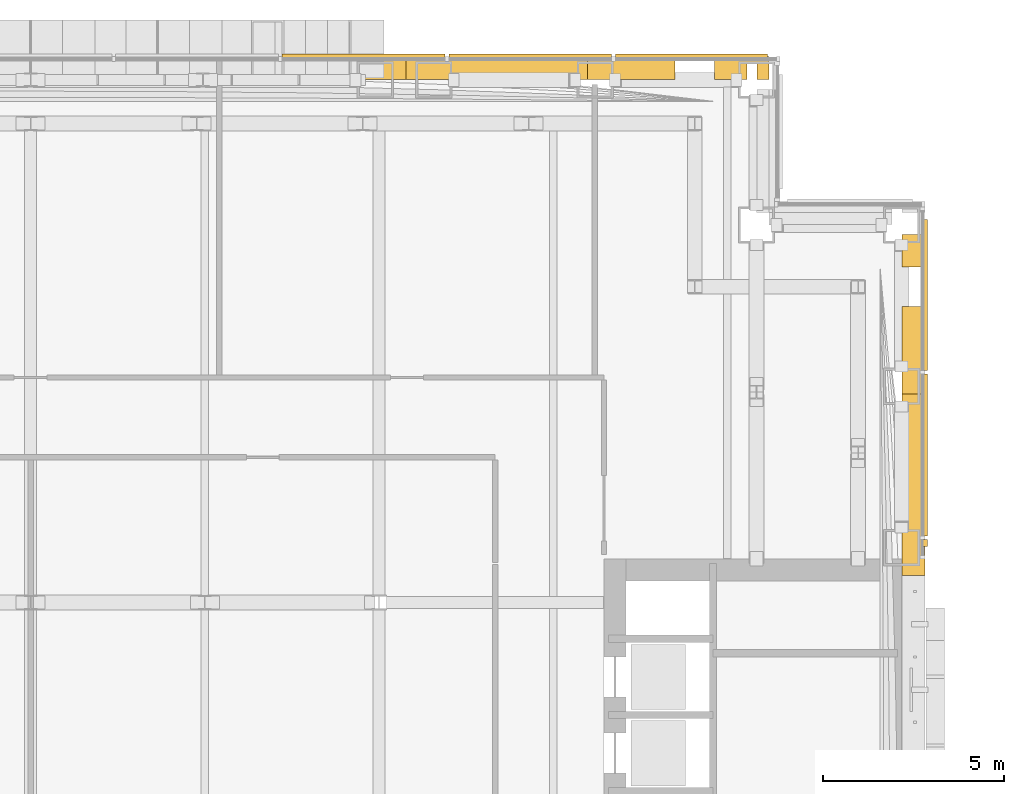
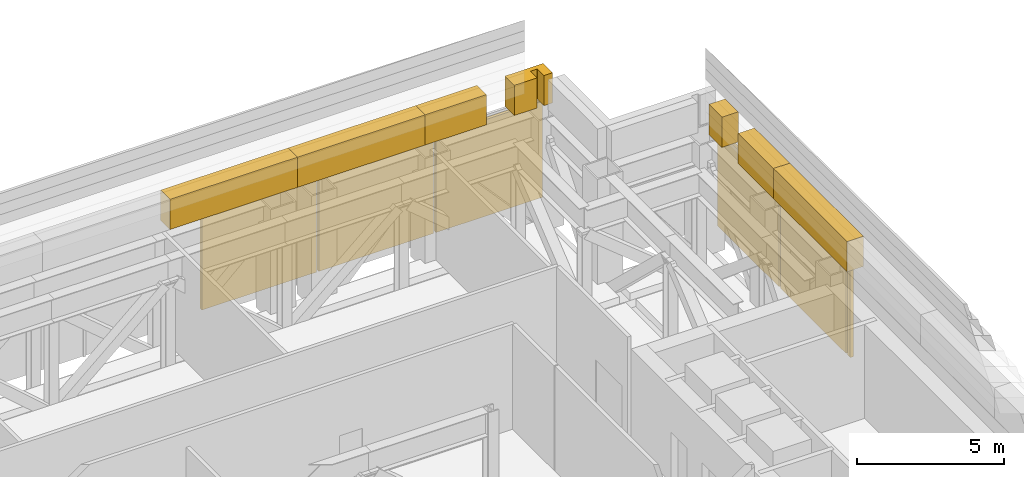
# One storey, part 38 of 39: 13 coverings.
"""IFC4 building model written with IfcOpenShell, lengths in metres."""

from ifc_helpers import new_model, si_unit, direction, frame, origin, origin_2d, place, context, subcontext, project, spatial, polyline, rectangle, outline, extrude, material, type_object, element, save


model = new_model("IFC4")

# Units and contexts
model_context = context("Model", 3, precision=1e-05, world=origin(), true_north=direction((0.0, 1.0)))
body_context = subcontext(model_context, "Body", "Model", "MODEL_VIEW")
ifc_project = project(units=[si_unit("LENGTHUNIT", "METRE"), si_unit("AREAUNIT", "SQUARE_METRE"), si_unit("VOLUMEUNIT", "CUBIC_METRE"), si_unit("PLANEANGLEUNIT", "RADIAN"), si_unit("MASSUNIT", "GRAM", prefix="KILO")], contexts=[model_context])

# Site, building, storey
site_placement = place(None, origin())
site = spatial("IfcSite", under=ifc_project, at=site_placement, CompositionType="ELEMENT")
building_placement = place(site_placement, origin())
building = spatial("IfcBuilding", under=site, at=building_placement, Name="Cobrizo Arcos Hotel Tower", CompositionType="ELEMENT")
storey_placement = place(building_placement, frame((0.0, 0.0, 84.5)))
storey = spatial("IfcBuildingStorey", under=building, at=storey_placement, Name="L20", CompositionType="ELEMENT", Elevation=84.5)

# Coverings
ifc_material_1 = material(Name="Aluminium 6063-T6 anodised pale", Category="aluminium")
covering_type_1 = type_object("IfcCoveringType", Name="LF-1 setback skirt", PredefinedType="CLADDING", material=ifc_material_1)
covering_1_placement = place(storey_placement, frame((0.0, 0.0, 4.5)))
element("IfcCovering", 1, at=covering_1_placement, inside=storey, type_object=covering_type_1, Name="Setback skirt L20", PredefinedType="CLADDING", context=body_context, shape_type="SweptSolid", body=[
    extrude(outline(polyline([(5.35009765625, 24.010009765625), (10.35009765625, 24.010009765625), (10.35009765625, 24.64990234375), (5.35009765625, 24.64990234375), (5.35009765625, 24.010009765625)])), origin(), (0.0, 0.0, 1.0), 1.25),
])
covering_2_placement = place(storey_placement, frame((0.0, 0.0, 4.5)))
element("IfcCovering", 2, at=covering_2_placement, inside=storey, type_object=covering_type_1, Name="Setback skirt L20", PredefinedType="CLADDING", context=body_context, shape_type="SweptSolid", body=[
    extrude(outline(polyline([(10.35009765625, 24.010009765625), (15.35009765625, 24.010009765625), (15.35009765625, 24.64990234375), (10.35009765625, 24.64990234375), (10.35009765625, 24.010009765625)])), origin(), (0.0, 0.0, 1.0), 1.25),
])
covering_3_placement = place(storey_placement, frame((0.0, 0.0, 4.5)))
element("IfcCovering", 3, at=covering_3_placement, inside=storey, type_object=covering_type_1, Name="Setback skirt L20", PredefinedType="CLADDING", context=body_context, shape_type="SweptSolid", body=[
    extrude(outline(polyline([(20.010009765625, 24.010009765625), (20.35009765625, 24.010009765625), (20.35009765625, 24.64990234375), (18.85009765625, 24.64990234375), (18.85009765625, 24.010009765625), (19.739990234375, 24.010009765625), (19.739990234375, 24.449951171875), (19.739990234375, 24.450927734375), (19.740234375, 24.451904296875), (19.740478515625, 24.452880859375), (19.74072265625, 24.453857421875), (19.7412109375, 24.45458984375), (19.74169921875, 24.45556640625), (19.7421875, 24.456298828125), (19.742919921875, 24.45703125), (19.74365234375, 24.457763671875), (19.744384765625, 24.458251953125), (19.745361328125, 24.458740234375), (19.74609375, 24.459228515625), (19.7470703125, 24.459716796875), (19.748046875, 24.459716796875), (19.7490234375, 24.4599609375), (19.75, 24.4599609375), (20.0, 24.4599609375), (20.0009765625, 24.4599609375), (20.001953125, 24.459716796875), (20.0029296875, 24.459716796875), (20.00390625, 24.459228515625), (20.004638671875, 24.458740234375), (20.005615234375, 24.458251953125), (20.00634765625, 24.457763671875), (20.007080078125, 24.45703125), (20.0078125, 24.456298828125), (20.00830078125, 24.45556640625), (20.0087890625, 24.45458984375), (20.00927734375, 24.453857421875), (20.009521484375, 24.452880859375), (20.009765625, 24.451904296875), (20.010009765625, 24.450927734375), (20.010009765625, 24.449951171875), (20.010009765625, 24.010009765625)])), origin(), (0.0, 0.0, 1.0), 1.25),
])
covering_4_placement = place(storey_placement, frame((0.0, 0.0, 4.5)))
element("IfcCovering", 4, at=covering_4_placement, inside=storey, type_object=covering_type_1, Name="Setback skirt L20", PredefinedType="CLADDING", context=body_context, shape_type="SweptSolid", body=[
    extrude(outline(polyline([(17.75, 24.010009765625), (17.75, 24.64990234375), (15.35009765625, 24.64990234375), (15.35009765625, 24.010009765625), (17.75, 24.010009765625)])), origin(), (0.0, 0.0, 1.0), 1.25),
])
covering_5_placement = place(storey_placement, frame((0.0, 0.0, 4.5)))
element("IfcCovering", 5, at=covering_5_placement, inside=storey, type_object=covering_type_1, Name="Setback skirt L20", PredefinedType="CLADDING", context=body_context, shape_type="SweptSolid", body=[
    extrude(outline(polyline([(24.64990234375, 10.35009765625), (24.64990234375, 15.35009765625), (24.010009765625, 15.35009765625), (24.010009765625, 10.35009765625), (24.64990234375, 10.35009765625)])), origin(), (0.0, 0.0, 1.0), 1.25),
])
covering_6_placement = place(storey_placement, frame((0.0, 0.0, 4.5)))
element("IfcCovering", 6, at=covering_6_placement, inside=storey, type_object=covering_type_1, Name="Setback skirt L20", PredefinedType="CLADDING", context=body_context, shape_type="SweptSolid", body=[
    extrude(outline(polyline([(24.64990234375, 17.75), (24.010009765625, 17.75), (24.010009765625, 15.35009765625), (24.64990234375, 15.35009765625), (24.64990234375, 17.75)])), origin(), (0.0, 0.0, 1.0), 1.25),
])
covering_7_placement = place(storey_placement, frame((0.0, 0.0, 4.5)))
element("IfcCovering", 7, at=covering_7_placement, inside=storey, type_object=covering_type_1, Name="Setback skirt L20", PredefinedType="CLADDING", context=body_context, shape_type="SweptSolid", body=[
    extrude(outline(polyline([(24.64990234375, 19.739990234375), (24.010009765625, 19.739990234375), (24.010009765625, 18.85009765625), (24.64990234375, 18.85009765625), (24.64990234375, 19.739990234375)])), origin(), (0.0, 0.0, 1.0), 1.25),
])
ifc_material_2 = material(Name="Aluminium 6063-T6 anodised bronze", Category="aluminium")
covering_type_2 = type_object("IfcCoveringType", Name="LV-1 plant louvre band", PredefinedType="CLADDING", material=ifc_material_2)
covering_8_placement = place(storey_placement, frame((24.655029296875, 11.244384765625, 0.25), z_axis=(0.0, 0.0, 1.0), x_axis=(0.0, 1.0, 0.0)))
element("IfcCovering", 8, at=covering_8_placement, inside=storey, type_object=covering_type_2, Name="louvre band 827", PredefinedType="CLADDING", context=body_context, shape_type="SweptSolid", body=[
    extrude(rectangle(XDim=0.18896484375, YDim=0.1201171875, at=origin_2d()), origin(), (0.0, 0.0, 1.0), 4.0),
])
covering_9_placement = place(storey_placement, frame((24.655029296875, 13.666748046875, 0.25), z_axis=(0.0, 0.0, 1.0), x_axis=(0.0, 1.0, 0.0)))
element("IfcCovering", 9, at=covering_9_placement, inside=storey, type_object=covering_type_2, Name="louvre band 828", PredefinedType="CLADDING", context=body_context, shape_type="SweptSolid", body=[
    extrude(rectangle(XDim=4.45556640625, YDim=0.1201171875, at=origin_2d()), origin(), (0.0, 0.0, 1.0), 4.0),
])
covering_10_placement = place(storey_placement, frame((24.655029296875, 18.072265625, 0.25), z_axis=(0.0, 0.0, 1.0), x_axis=(0.0, 1.0, 0.0)))
element("IfcCovering", 10, at=covering_10_placement, inside=storey, type_object=covering_type_2, Name="louvre band 829", PredefinedType="CLADDING", context=body_context, shape_type="SweptSolid", body=[
    extrude(rectangle(XDim=4.155517578125, YDim=0.1201171875, at=origin_2d()), origin(), (0.0, 0.0, 1.0), 4.0),
])
covering_11_placement = place(storey_placement, frame((18.20556640625, 24.655029296875, 0.25), z_axis=(0.0, 0.0, 1.0), x_axis=(-1.0, 0.0, 0.0)))
element("IfcCovering", 11, at=covering_11_placement, inside=storey, type_object=covering_type_2, Name="louvre band 832", PredefinedType="CLADDING", context=body_context, shape_type="SweptSolid", body=[
    extrude(rectangle(XDim=4.18896484375, YDim=0.1201171875, at=origin_2d()), origin(), (0.0, 0.0, 1.0), 4.0),
])
for number, where, z_axis, x_axis, name in (
    (12, (13.7666015625, 24.655029296875, 0.25), (0.0, 0.0, 1.0), (-1.0, 0.0, 0.0), "louvre band 833"),
    (13, (9.177734375, 24.655029296875, 0.25), (0.0, 0.0, 1.0), (-1.0, 0.0, 0.0), "louvre band 834"),
):
    element("IfcCovering", number, at=place(storey_placement, frame(where, z_axis=z_axis, x_axis=x_axis)), inside=storey, type_object=covering_type_2, Name=name, PredefinedType="CLADDING", context=body_context, shape_type="SweptSolid", body=[
        extrude(rectangle(XDim=4.48876953125, YDim=0.1201171875, at=origin_2d()), origin(), (0.0, 0.0, 1.0), 4.0),
    ])

save(model, "model.ifc")
